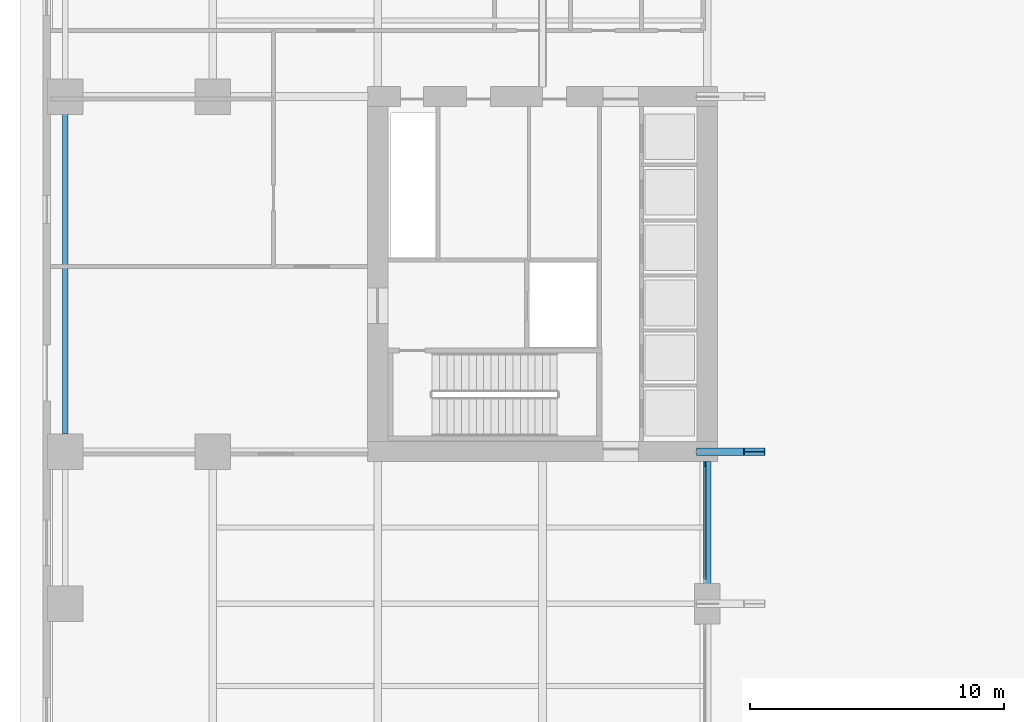
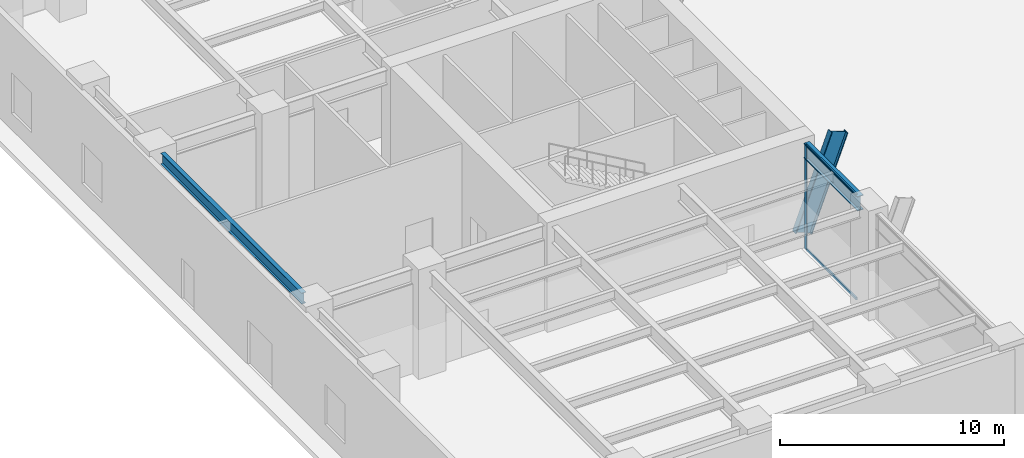
# One storey, part 3 of 20: 4 members, 2 beams, 1 element without a shape of its own.
"""IFC4 building model written with IfcOpenShell, lengths in metres."""

from ifc_helpers import new_model, si_unit, direction, frame, origin, origin_2d, place, context, subcontext, project, spatial, rectangle, i_section, extrude, material, layer, layer_set, material_profile, profile_set, type_object, element, aggregate, save


model = new_model("IFC4")

# Units and contexts
model_context = context("Model", 3, precision=1e-05, world=origin(), true_north=direction((0.0, 1.0)))
body_context = subcontext(model_context, "Body", "Model", "MODEL_VIEW")
ifc_project = project(units=[si_unit("LENGTHUNIT", "METRE"), si_unit("AREAUNIT", "SQUARE_METRE"), si_unit("VOLUMEUNIT", "CUBIC_METRE"), si_unit("PLANEANGLEUNIT", "RADIAN"), si_unit("MASSUNIT", "GRAM", prefix="KILO")], contexts=[model_context])

# Site, building, storey
site_placement = place(None, origin())
site = spatial("IfcSite", under=ifc_project, at=site_placement, CompositionType="ELEMENT")
building_placement = place(site_placement, origin())
building = spatial("IfcBuilding", under=site, at=building_placement, Name="Putna Gate Headquarters", CompositionType="ELEMENT")
storey_placement = place(building_placement, origin())
storey = spatial("IfcBuildingStorey", under=building, at=storey_placement, Name="L00", CompositionType="ELEMENT", Elevation=0.0)

# Beams
ifc_material_1 = material(Name="Steel S355J2", Category="steel")
ifc_material_profile_1 = material_profile(ifc_material_1, i_section(OverallWidth=0.300048828125, OverallDepth=0.800048828125, WebThickness=0.017578125, FlangeThickness=0.032958984375, at=origin_2d()), Name="Steel S355J2")
ifc_profile_set_1 = profile_set([ifc_material_profile_1], Name="Steel S355J2")
beam_type_1 = type_object("IfcBeamType", Name="BM-GIRD-P-HEB800", PredefinedType="USERDEFINED", material=ifc_profile_set_1)
beam_1_placement = place(storey_placement, frame((26.0, 13.7880859375, 5.320068359375), z_axis=(0.0, 1.0, 0.0), x_axis=(-1.0, 0.0, 0.0)))
element("IfcBeam", 1, at=beam_1_placement, inside=storey, type_object=beam_type_1, Name="L00 South Primary Girder X26-2", ObjectType="GIRDER", PredefinedType="USERDEFINED", context=body_context, shape_type="SweptSolid", body=[
    extrude(i_section(OverallWidth=0.300048828125, OverallDepth=0.800048828125, WebThickness=0.017578125, FlangeThickness=0.032958984375, at=origin_2d()), origin(), (0.0, 0.0, 1.0), 4.826904296875),
])
ifc_material_profile_2 = material_profile(ifc_material_1, i_section(OverallWidth=0.219970703125, OverallDepth=0.60009765625, WebThickness=0.011962890625, FlangeThickness=0.01904296875, at=origin_2d()), Name="Steel S355J2")
ifc_profile_set_2 = profile_set([ifc_material_profile_2], Name="Steel S355J2")
beam_type_2 = type_object("IfcBeamType", Name="BM-SPAN-P-IPE600", PredefinedType="SPANDREL", material=ifc_profile_set_2)
beam_2_placement = place(storey_placement, frame((0.679931640625, 19.68798828125, 5.419921875), z_axis=(0.0, 1.0, 0.0), x_axis=(-1.0, 0.0, 0.0)))
element("IfcBeam", 2, at=beam_2_placement, inside=storey, type_object=beam_type_2, Name="L00 W End Spandrel 2", PredefinedType="SPANDREL", context=body_context, shape_type="SweptSolid", body=[
    extrude(i_section(OverallWidth=0.219970703125, OverallDepth=0.60009765625, WebThickness=0.011962890625, FlangeThickness=0.01904296875, at=origin_2d()), origin(), (0.0, 0.0, 1.0), 12.6240234375),
])

# Member
ifc_material_2 = material(Name="Steel S460M", Category="steel")
ifc_material_profile_3 = material_profile(ifc_material_2, i_section(OverallWidth=0.302001953125, OverallDepth=0.909912109375, WebThickness=0.02099609375, FlangeThickness=0.0400390625, at=origin_2d()), Name="Steel S460M")
ifc_profile_set_3 = profile_set([ifc_material_profile_3], Name="Steel S460M")
member_type_1 = type_object("IfcMemberType", Name="MEM-ARCH-CHORD-INT-HEM900", PredefinedType="STRUT", material=ifc_profile_set_3)
member_1_placement = place(storey_placement, frame((26.0, 19.0, 0.550048828125), z_axis=(0.355581261546, 0.0, 0.934645369345), x_axis=(0.0, 1.0, 0.0)))
element("IfcMember", 3, at=member_1_placement, inside=storey, type_object=member_type_1, Name="Giant Parabolic Arch Chord AS-1", PredefinedType="STRUT", context=body_context, shape_type="SweptSolid", body=[
    extrude(i_section(OverallWidth=0.302001953125, OverallDepth=0.909912109375, WebThickness=0.02099609375, FlangeThickness=0.0400390625, at=origin_2d()), origin(), (0.0, 0.0, 1.0), 5.222900390625),
])

# Curtain wall, members
ifc_material_3 = material(Name="Anodised bronze aluminium curtain wall", Category="aluminium")
ifc_layer = layer(ifc_material_3, 0.179931640625)
ifc_layer_set = layer_set([ifc_layer], Name="Anodised bronze aluminium curtain wall")
curtain_wall_type = type_object("IfcCurtainWallType", Name="CW-SYS-ATR", PredefinedType="USERDEFINED", material=ifc_layer_set)
curtain_wall_placement = place(storey_placement, origin())
curtain_wall = element("IfcCurtainWall", 4, at=curtain_wall_placement, inside=storey, type_object=curtain_wall_type, Name="L00 Giant Arch West Lobby Glazing N", ObjectType="ATRIUM GLAZING", PredefinedType="USERDEFINED")
ifc_material_4 = material(Name="Anodised bronze aluminium EN AW-6060", Category="aluminium")
ifc_material_profile_4 = material_profile(ifc_material_4, rectangle(XDim=0.070068359375, YDim=0.179931640625, at=origin_2d()), Name="Anodised bronze aluminium EN AW-6060")
ifc_profile_set_4 = profile_set([ifc_material_profile_4], Name="Anodised bronze aluminium EN AW-6060")
member_type_2 = type_object("IfcMemberType", Name="MULL-CWM-AT", PredefinedType="MULLION", material=ifc_profile_set_4)
member_2_placement = place(storey_placement, frame((25.89990234375, 18.485107421875, 0.0), z_axis=(0.0, 0.0, 1.0), x_axis=(-1.0, 0.0, 0.0)))
member_2 = element("IfcMember", 5, at=member_2_placement, type_object=member_type_2, Name="CWS-AT mullion 2", PredefinedType="MULLION", context=body_context, shape_type="SweptSolid", body=[
    extrude(rectangle(XDim=0.070068359375, YDim=0.179931640625, at=origin_2d()), origin(), (0.0, 0.0, 1.0), 5.719970703125),
])
ifc_material_profile_5 = material_profile(ifc_material_4, rectangle(XDim=0.070068359375, YDim=0.139892578125, at=origin_2d()), Name="Anodised bronze aluminium EN AW-6060")
ifc_profile_set_5 = profile_set([ifc_material_profile_5], Name="Anodised bronze aluminium EN AW-6060")
member_type_3 = type_object("IfcMemberType", Name="TRAN-CWT-AT", PredefinedType="USERDEFINED", material=ifc_profile_set_5)
member_3_placement = place(storey_placement, frame((25.89990234375, 13.949951171875, 0.034912109375), z_axis=(0.0, 1.0, 0.0), x_axis=(-1.0, 0.0, 0.0)))
member_3 = element("IfcMember", 6, at=member_3_placement, type_object=member_type_3, Name="CWS-AT transom 1.1", ObjectType="TRANSOM", PredefinedType="USERDEFINED", context=body_context, shape_type="SweptSolid", body=[
    extrude(rectangle(XDim=0.070068359375, YDim=0.139892578125, at=origin_2d()), origin(), (0.0, 0.0, 1.0), 4.5),
])
member_4_placement = place(storey_placement, frame((25.89990234375, 13.949951171875, 5.68505859375), z_axis=(0.0, 1.0, 0.0), x_axis=(-1.0, 0.0, 0.0)))
member_4 = element("IfcMember", 7, at=member_4_placement, type_object=member_type_3, Name="CWS-AT transom 1.2", ObjectType="TRANSOM", PredefinedType="USERDEFINED", context=body_context, shape_type="SweptSolid", body=[
    extrude(rectangle(XDim=0.070068359375, YDim=0.139892578125, at=origin_2d()), origin(), (0.0, 0.0, 1.0), 4.5),
])
aggregate(curtain_wall, [member_2, member_3, member_4])

save(model, "model.ifc")
